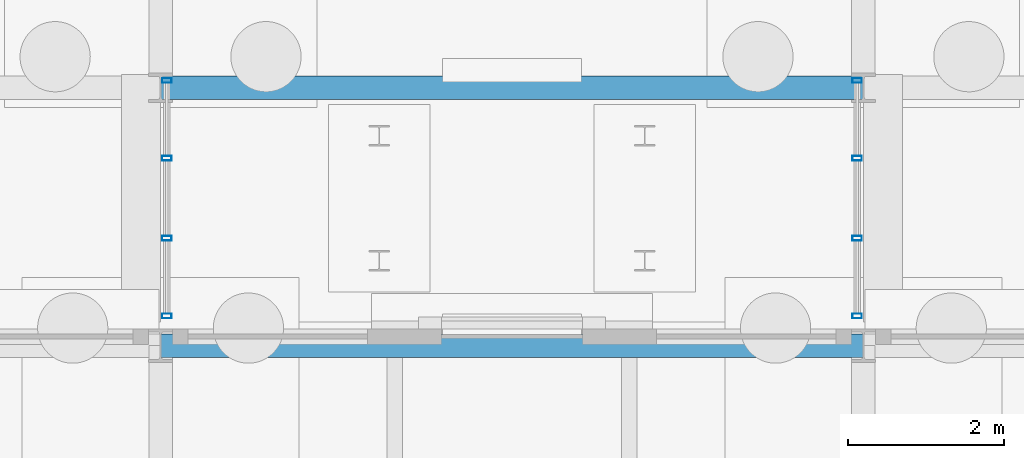
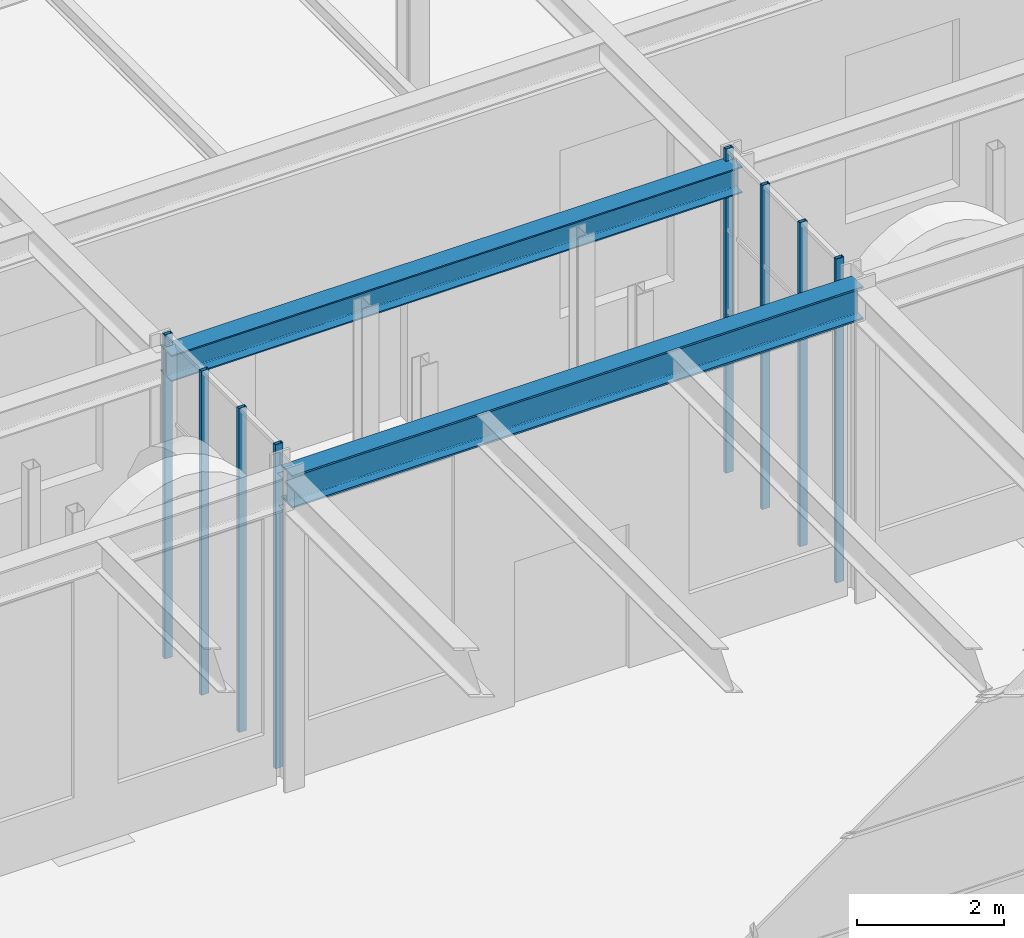
# One storey, part 48 of 126: 8 members, 2 beams, 2 elements without a shape of their own.
"""IFC4 building model written with IfcOpenShell, lengths in metres."""

from ifc_helpers import new_model, si_unit, direction, frame, origin, origin_2d, place, context, subcontext, project, spatial, hollow_rectangle, i_section, extrude, material, material_profile, profile_set, type_object, element, aggregate, save


model = new_model("IFC4")

# Units and contexts
model_context = context("Model", 3, precision=1e-05, world=origin(), true_north=direction((0.0, 1.0)))
body_context = subcontext(model_context, "Body", "Model", "MODEL_VIEW")
ifc_project = project(units=[si_unit("LENGTHUNIT", "METRE"), si_unit("AREAUNIT", "SQUARE_METRE"), si_unit("VOLUMEUNIT", "CUBIC_METRE"), si_unit("PLANEANGLEUNIT", "RADIAN"), si_unit("MASSUNIT", "GRAM", prefix="KILO")], contexts=[model_context])

# Site, building, storey
site_placement = place(None, origin())
site = spatial("IfcSite", under=ifc_project, at=site_placement, CompositionType="ELEMENT")
building_placement = place(site_placement, origin())
building = spatial("IfcBuilding", under=site, at=building_placement, Name="Kallimachos Central Library", CompositionType="ELEMENT")
storey_placement = place(building_placement, origin())
storey = spatial("IfcBuildingStorey", under=building, at=storey_placement, Name="L00", CompositionType="ELEMENT", Elevation=0.0)

# Curtain wall, members
ifc_material_1 = material(Name="Aluminium and laminated glass", Category="aluminium")
curtain_wall_type = type_object("IfcCurtainWallType", Name="Link glazed wall", PredefinedType="NOTDEFINED", material=ifc_material_1)
curtain_wall_1_placement = place(storey_placement, origin())
curtain_wall_1 = element("IfcCurtainWall", 1, at=curtain_wall_1_placement, inside=storey, type_object=curtain_wall_type, Name="Reading Link glazed wall L00", PredefinedType="NOTDEFINED")
ifc_material_2 = material(Name="Anodised aluminium", Category="aluminium")
ifc_material_profile_1 = material_profile(ifc_material_2, hollow_rectangle(XDim=0.06005859375, YDim=0.1201171875, WallThickness=0.00390625, at=origin_2d()), Name="ALU MULLION 60x120")
ifc_profile_set_1 = profile_set([ifc_material_profile_1], Name="Anodised aluminium")
member_type = type_object("IfcMemberType", Name="ALU MULLION 60x120 mullion", PredefinedType="MULLION", material=ifc_profile_set_1)
member_1_placement = place(storey_placement, frame((83.580078125, 84.22998046875, 0.0), z_axis=(0.0, 0.0, 1.0), x_axis=(0.0, 1.0, 0.0)))
member_1 = element("IfcMember", 2, at=member_1_placement, type_object=member_type, Name="CW62 mullion 1", PredefinedType="MULLION", context=body_context, shape_type="SweptSolid", body=[
    extrude(hollow_rectangle(XDim=0.06005859375, YDim=0.1201171875, WallThickness=0.00390625, at=origin_2d()), origin(), (0.0, 0.0, 1.0), 5.39990234375),
])
member_2_placement = place(storey_placement, frame((83.580078125, 85.22509765625, 0.0), z_axis=(0.0, 0.0, 1.0), x_axis=(0.0, 1.0, 0.0)))
member_2 = element("IfcMember", 3, at=member_2_placement, type_object=member_type, Name="CW62 mullion 2", PredefinedType="MULLION", context=body_context, shape_type="SweptSolid", body=[
    extrude(hollow_rectangle(XDim=0.06005859375, YDim=0.1201171875, WallThickness=0.00390625, at=origin_2d()), origin(), (0.0, 0.0, 1.0), 5.39990234375),
])
member_3_placement = place(storey_placement, frame((83.580078125, 86.25, 0.0), z_axis=(0.0, 0.0, 1.0), x_axis=(0.0, 1.0, 0.0)))
member_3 = element("IfcMember", 4, at=member_3_placement, type_object=member_type, Name="CW62 mullion 3", PredefinedType="MULLION", context=body_context, shape_type="SweptSolid", body=[
    extrude(hollow_rectangle(XDim=0.06005859375, YDim=0.1201171875, WallThickness=0.00390625, at=origin_2d()), origin(), (0.0, 0.0, 1.0), 5.39990234375),
])
member_4_placement = place(storey_placement, frame((83.580078125, 87.2451171875, 0.0), z_axis=(0.0, 0.0, 1.0), x_axis=(0.0, 1.0, 0.0)))
member_4 = element("IfcMember", 5, at=member_4_placement, type_object=member_type, Name="CW62 mullion 4", PredefinedType="MULLION", context=body_context, shape_type="SweptSolid", body=[
    extrude(hollow_rectangle(XDim=0.06005859375, YDim=0.1201171875, WallThickness=0.00390625, at=origin_2d()), origin(), (0.0, 0.0, 1.0), 5.39990234375),
])
aggregate(curtain_wall_1, [member_1, member_2, member_3, member_4])

curtain_wall_2_placement = place(storey_placement, origin())
curtain_wall_2 = element("IfcCurtainWall", 6, at=curtain_wall_2_placement, inside=storey, type_object=curtain_wall_type, Name="Reading Link glazed wall L00", PredefinedType="NOTDEFINED")
member_5_placement = place(storey_placement, frame((92.419921875, 84.22998046875, 0.0), z_axis=(0.0, 0.0, 1.0), x_axis=(0.0, 1.0, 0.0)))
member_5 = element("IfcMember", 7, at=member_5_placement, type_object=member_type, Name="CW63 mullion 1", PredefinedType="MULLION", context=body_context, shape_type="SweptSolid", body=[
    extrude(hollow_rectangle(XDim=0.06005859375, YDim=0.1201171875, WallThickness=0.00390625, at=origin_2d()), origin(), (0.0, 0.0, 1.0), 5.39990234375),
])
member_6_placement = place(storey_placement, frame((92.419921875, 85.22509765625, 0.0), z_axis=(0.0, 0.0, 1.0), x_axis=(0.0, 1.0, 0.0)))
member_6 = element("IfcMember", 8, at=member_6_placement, type_object=member_type, Name="CW63 mullion 2", PredefinedType="MULLION", context=body_context, shape_type="SweptSolid", body=[
    extrude(hollow_rectangle(XDim=0.06005859375, YDim=0.1201171875, WallThickness=0.00390625, at=origin_2d()), origin(), (0.0, 0.0, 1.0), 5.39990234375),
])
member_7_placement = place(storey_placement, frame((92.419921875, 86.25, 0.0), z_axis=(0.0, 0.0, 1.0), x_axis=(0.0, 1.0, 0.0)))
member_7 = element("IfcMember", 9, at=member_7_placement, type_object=member_type, Name="CW63 mullion 3", PredefinedType="MULLION", context=body_context, shape_type="SweptSolid", body=[
    extrude(hollow_rectangle(XDim=0.06005859375, YDim=0.1201171875, WallThickness=0.00390625, at=origin_2d()), origin(), (0.0, 0.0, 1.0), 5.39990234375),
])
member_8_placement = place(storey_placement, frame((92.419921875, 87.2451171875, 0.0), z_axis=(0.0, 0.0, 1.0), x_axis=(0.0, 1.0, 0.0)))
member_8 = element("IfcMember", 10, at=member_8_placement, type_object=member_type, Name="CW63 mullion 4", PredefinedType="MULLION", context=body_context, shape_type="SweptSolid", body=[
    extrude(hollow_rectangle(XDim=0.06005859375, YDim=0.1201171875, WallThickness=0.00390625, at=origin_2d()), origin(), (0.0, 0.0, 1.0), 5.39990234375),
])
aggregate(curtain_wall_2, [member_5, member_6, member_7, member_8])

# Beams
ifc_material_3 = material(Name="Steel S355J2", Category="steel")
ifc_material_profile_2 = material_profile(ifc_material_3, i_section(OverallWidth=0.300048828125, OverallDepth=0.43994140625, WebThickness=0.011474609375, FlangeThickness=0.02099609375, FilletRadius=0.027099609375, at=origin_2d()), Name="HEA 450")
ifc_profile_set_2 = profile_set([ifc_material_profile_2], Name="Steel S355J2")
beam_type_1 = type_object("IfcBeamType", Name="HEA 450 beam", PredefinedType="BEAM", material=ifc_profile_set_2)
beam_1_placement = place(storey_placement, frame((83.5, 87.14990234375, 4.97998046875), z_axis=(1.0, 0.0, 0.0), x_axis=(0.0, 1.0, 0.0)))
element("IfcBeam", 11, at=beam_1_placement, inside=storey, type_object=beam_type_1, Name="V1-BEM-L00-016", PredefinedType="BEAM", context=body_context, shape_type="SweptSolid", body=[
    extrude(i_section(OverallWidth=0.300048828125, OverallDepth=0.43994140625, WebThickness=0.011474609375, FlangeThickness=0.02099609375, FilletRadius=0.027099609375, at=origin_2d()), origin(), (0.0, 0.0, 1.0), 9.0),
])
ifc_material_4 = material(Name="Steel S355J2", Category="steel")
ifc_material_profile_3 = material_profile(ifc_material_4, i_section(OverallWidth=0.300048828125, OverallDepth=0.550048828125, WebThickness=0.014892578125, FlangeThickness=0.029052734375, FilletRadius=0.027099609375, at=origin_2d()), Name="HEB 550")
ifc_profile_set_3 = profile_set([ifc_material_profile_3], Name="Steel S355J2")
beam_type_2 = type_object("IfcBeamType", Name="HEB 550 beam", PredefinedType="BEAM", material=ifc_profile_set_3)
beam_2_placement = place(storey_placement, frame((83.5, 83.85009765625, 4.925048828125), z_axis=(1.0, 0.0, 0.0), x_axis=(0.0, 1.0, 0.0)))
element("IfcBeam", 12, at=beam_2_placement, inside=storey, type_object=beam_type_2, Name="V4-BEM-L00-006", PredefinedType="BEAM", context=body_context, shape_type="SweptSolid", body=[
    extrude(i_section(OverallWidth=0.300048828125, OverallDepth=0.550048828125, WebThickness=0.014892578125, FlangeThickness=0.029052734375, FilletRadius=0.027099609375, at=origin_2d()), origin(), (0.0, 0.0, 1.0), 9.0),
])

save(model, "model.ifc")
